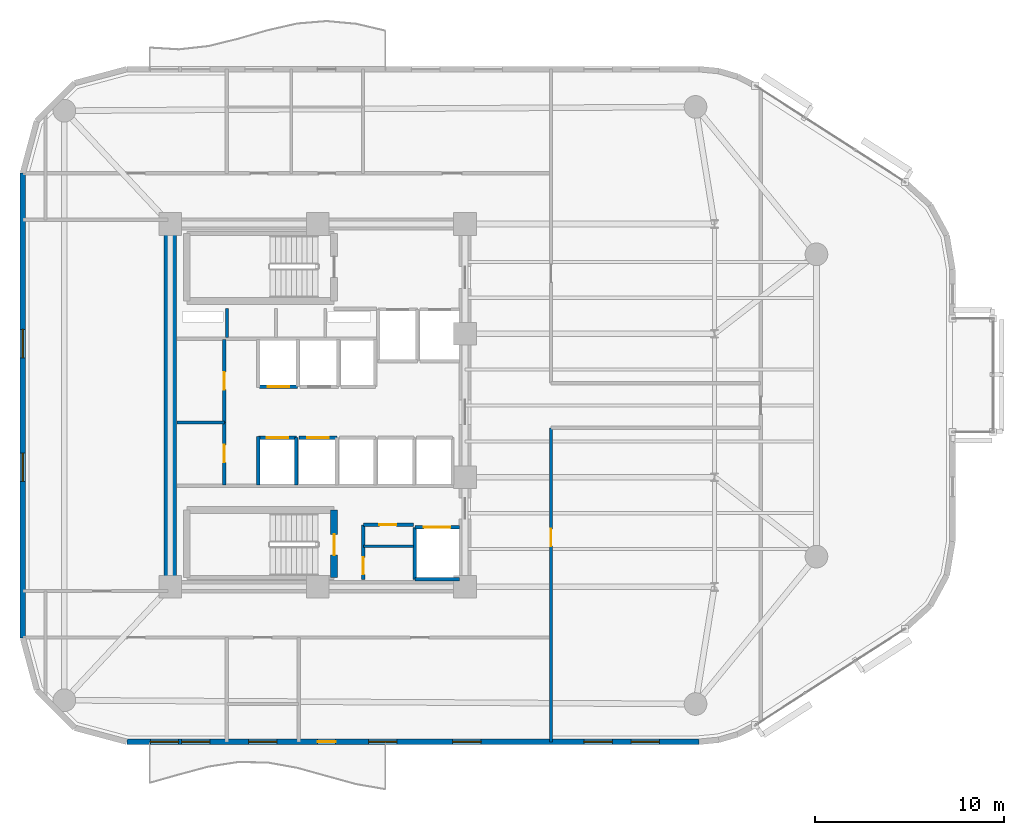
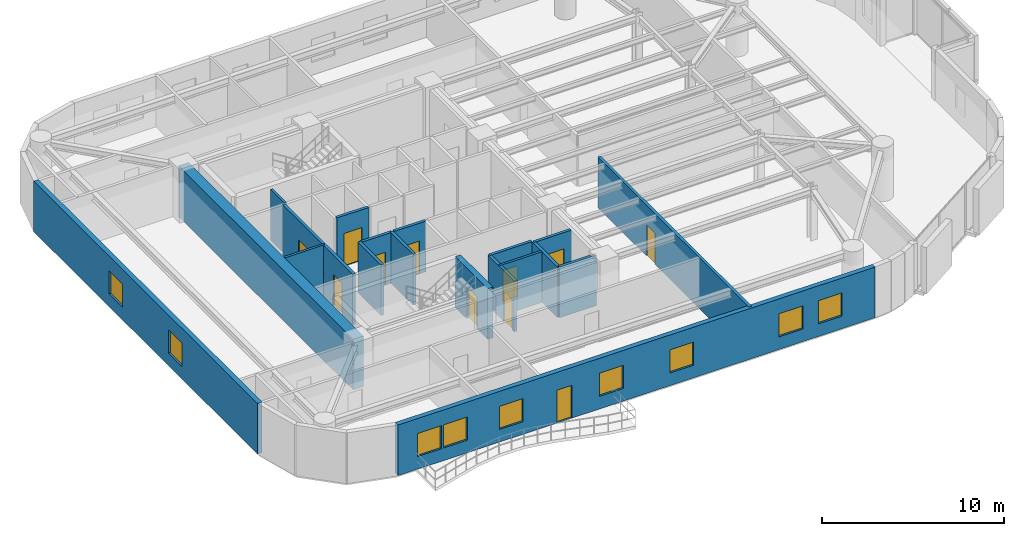
# One storey, part 8 of 12: 20 walls, 11 doors, 9 windows, 20 openings.
"""IFC4 building model written with IfcOpenShell, lengths in metres."""

from ifc_helpers import new_model, si_unit, direction, frame, frame_2d, origin, place, context, subcontext, project, spatial, rectangle, extrude, material, layer, layer_set, type_object, element, fill, save


model = new_model("IFC4")

# Units and contexts
model_context = context("Model", 3, precision=1e-05, world=origin(), true_north=direction((0.0, 1.0)))
body_context = subcontext(model_context, "Body", "Model", "MODEL_VIEW")
ifc_project = project(units=[si_unit("LENGTHUNIT", "METRE"), si_unit("AREAUNIT", "SQUARE_METRE"), si_unit("VOLUMEUNIT", "CUBIC_METRE"), si_unit("PLANEANGLEUNIT", "RADIAN"), si_unit("MASSUNIT", "GRAM", prefix="KILO")], contexts=[model_context])

# Site, building, storey
site_placement = place(None, origin())
site = spatial("IfcSite", under=ifc_project, at=site_placement, CompositionType="ELEMENT")
building_placement = place(site_placement, origin())
building = spatial("IfcBuilding", under=site, at=building_placement, Name="An Khanh Terracotta Commons", CompositionType="ELEMENT")
storey_placement = place(building_placement, frame((0.0, 0.0, 161.800048828125)))
storey = spatial("IfcBuildingStorey", under=building, at=storey_placement, Name="L42", CompositionType="ELEMENT", Elevation=161.800048828125)

# Wall
ifc_material_1 = material(Name="Concrete C60/75", Category="concrete")
ifc_layer_1 = layer(ifc_material_1, 0.64990234375, Name="Concrete C60/75")
ifc_layer_set_1 = layer_set([ifc_layer_1], Name="Concrete C60/75")
wall_type_1 = type_object("IfcWallType", Name="WALL-CORE-650", PredefinedType="SHEAR", material=ifc_layer_set_1)
wall_1_placement = place(storey_placement, frame((21.60009765625, 14.39990234375, 0.0), z_axis=(0.0, 0.0, 1.0), x_axis=(0.0, 1.0, 0.0)))
element("IfcWall", 1, at=wall_1_placement, inside=storey, type_object=wall_type_1, Name="L42 Core Wall CWALL-L42-W", PredefinedType="SHEAR", context=body_context, shape_type="SweptSolid", body=[
    extrude(rectangle(XDim=19.2001953125, YDim=0.64990234375, at=frame_2d((9.60009765625, 0.0))), origin(), (0.0, 0.0, 1.0), 3.39990234375),
])

# Wall, opening, door
ifc_material_2 = material(Name="Fire-Rated Gypsum Board on Steel Stud", Category="steel")
ifc_layer_2 = layer(ifc_material_2, 0.179931640625, Name="Fire-Rated Gypsum Board on Steel Stud")
ifc_layer_set_2 = layer_set([ifc_layer_2], Name="Fire-Rated Gypsum Board on Steel Stud")
wall_type_2 = type_object("IfcWallType", Name="WALL-CORR-180", PredefinedType="PARTITIONING", material=ifc_layer_set_2)
wall_2_placement = place(storey_placement, frame((31.820068359375, 17.679931640625, 0.0), z_axis=(0.0, 0.0, 1.0), x_axis=(1.0, 0.0, 0.0)))
wall_2 = element("IfcWall", 2, at=wall_2_placement, inside=storey, type_object=wall_type_2, Name="L42 Core Wall SSVCW-L42-N", PredefinedType="PARTITIONING", context=body_context, shape_type="SweptSolid", body=[
    extrude(rectangle(XDim=2.659912109375, YDim=0.179931640625, at=frame_2d((1.330078125, 0.0))), origin(), (0.0, 0.0, 1.0), 3.39990234375),
])
opening_1_placement = place(wall_2_placement, frame((0.85009765625, 0.0, 0.0)))
opening_1 = element("IfcOpeningElement", 3, at=opening_1_placement, cuts=wall_2, Name="Opening D-SV", PredefinedType="OPENING", context=body_context, shape_type="SweptSolid", body=[
    extrude(rectangle(XDim=0.89990234375, YDim=2.050048828125, at=frame_2d((0.449951171875, 1.02490234375))), frame((0.0, 0.099853515625, 0.0), z_axis=(0.0, -1.0, 0.0), x_axis=(1.0, 0.0, 0.0)), (0.0, 0.0, 1.0), 0.199951171875),
])
ifc_material_3 = material(Name="Fire-Rated Powder-Coated Steel Door", Category="steel")
door_type_1 = type_object("IfcDoorType", Name="DOOR-SERV-900", OperationType="NOTDEFINED", PredefinedType="DOOR", material=ifc_material_3)
door_1_placement = place(opening_1_placement, origin())
door_1 = element("IfcDoor", 4, at=door_1_placement, inside=storey, type_object=door_type_1, Name="L42 Core Cleaner Store Door", OperationType="SINGLE_SWING_LEFT", OverallHeight=2.050048828125, OverallWidth=0.89990234375, PredefinedType="DOOR", context=body_context, shape_type="SweptSolid", body=[
    extrude(rectangle(XDim=0.89990234375, YDim=2.050048828125, at=frame_2d((0.449951171875, 1.02490234375))), frame((0.0, 0.02490234375, 0.0), z_axis=(0.0, -1.0, 0.0), x_axis=(1.0, 0.0, 0.0)), (0.0, 0.0, 1.0), 0.050048828125),
])
fill(opening_1, door_1)

wall_3_placement = place(storey_placement, frame((31.820068359375, 14.800048828125, 0.0), z_axis=(0.0, 0.0, 1.0), x_axis=(0.0, 1.0, 0.0)))
wall_3 = element("IfcWall", 5, at=wall_3_placement, inside=storey, type_object=wall_type_2, Name="L42 Core Wall SSVCW-L42-W", PredefinedType="PARTITIONING", context=body_context, shape_type="SweptSolid", body=[
    extrude(rectangle(XDim=2.8798828125, YDim=0.179931640625, at=frame_2d((1.43994140625, 0.0))), origin(), (0.0, 0.0, 1.0), 3.39990234375),
])
opening_2_placement = place(wall_3_placement, frame((0.260009765625, 0.0, 0.0)))
opening_2 = element("IfcOpeningElement", 6, at=opening_2_placement, cuts=wall_3, Name="Opening D-SV", PredefinedType="OPENING", context=body_context, shape_type="SweptSolid", body=[
    extrude(rectangle(XDim=0.89990234375, YDim=2.050048828125, at=frame_2d((0.449951171875, 1.02490234375))), frame((0.0, 0.099853515625, 0.0), z_axis=(0.0, -1.0, 0.0), x_axis=(1.0, 0.0, 0.0)), (0.0, 0.0, 1.0), 0.199951171875),
])
door_2_placement = place(opening_2_placement, origin())
door_2 = element("IfcDoor", 7, at=door_2_placement, inside=storey, type_object=door_type_1, Name="L42 Telecoms BMS Cupboard Door", OperationType="SINGLE_SWING_RIGHT", OverallHeight=2.050048828125, OverallWidth=0.89990234375, PredefinedType="DOOR", context=body_context, shape_type="SweptSolid", body=[
    extrude(rectangle(XDim=0.89990234375, YDim=2.050048828125, at=frame_2d((0.449951171875, 1.02490234375))), frame((0.0, 0.02490234375, 0.0), z_axis=(0.0, -1.0, 0.0), x_axis=(1.0, 0.0, 0.0)), (0.0, 0.0, 1.0), 0.050048828125),
])
fill(opening_2, door_2)

wall_4_placement = place(storey_placement, frame((34.550048828125, 17.550048828125, 0.0), z_axis=(0.0, 0.0, 1.0), x_axis=(1.0, 0.0, 0.0)))
wall_4 = element("IfcWall", 8, at=wall_4_placement, inside=storey, type_object=wall_type_2, Name="L42 Core Wall LSH-L42-SVL-01-N", PredefinedType="PARTITIONING", context=body_context, shape_type="SweptSolid", body=[
    extrude(rectangle(XDim=2.349853515625, YDim=0.179931640625, at=frame_2d((1.1748046875, 0.0))), origin(), (0.0, 0.0, 1.0), 3.39990234375),
])
opening_3_placement = place(wall_4_placement, frame((0.47509765625, 0.0, 0.0)))
opening_3 = element("IfcOpeningElement", 9, at=opening_3_placement, cuts=wall_4, Name="Opening LD-SVL-01-L42", PredefinedType="OPENING", context=body_context, shape_type="SweptSolid", body=[
    extrude(rectangle(XDim=1.39990234375, YDim=2.300048828125, at=frame_2d((0.699951171875, 1.14990234375))), frame((0.0, 0.099853515625, 0.0), z_axis=(0.0, -1.0, 0.0), x_axis=(1.0, 0.0, 0.0)), (0.0, 0.0, 1.0), 0.199951171875),
])
ifc_material_4 = material(Name="Heavy-Duty Stainless Steel Goods Landing Door", Category="steel")
door_type_2 = type_object("IfcDoorType", Name="DOOR-LD-SVL-1400", OperationType="NOTDEFINED", PredefinedType="DOOR", material=ifc_material_4)
door_3_placement = place(opening_3_placement, origin())
door_3 = element("IfcDoor", 10, at=door_3_placement, inside=storey, type_object=door_type_2, Name="L42 Lift SVL-01 Sliding Landing Door", OperationType="DOUBLE_DOOR_SLIDING", OverallHeight=2.300048828125, OverallWidth=1.39990234375, PredefinedType="DOOR", context=body_context, shape_type="SweptSolid", body=[
    extrude(rectangle(XDim=1.39990234375, YDim=2.300048828125, at=frame_2d((0.699951171875, 1.14990234375))), frame((0.0, 0.02490234375, 0.0), z_axis=(0.0, -1.0, 0.0), x_axis=(1.0, 0.0, 0.0)), (0.0, 0.0, 1.0), 0.050048828125),
])
fill(opening_3, door_3)

# Walls
wall_5_placement = place(storey_placement, frame((36.89990234375, 14.800048828125, 0.0), z_axis=(0.0, 0.0, 1.0), x_axis=(-1.0, 0.0, 0.0)))
element("IfcWall", 11, at=wall_5_placement, inside=storey, type_object=wall_type_2, Name="L42 Core Wall LSH-L42-SVL-01-S", PredefinedType="PARTITIONING", context=body_context, shape_type="SweptSolid", body=[
    extrude(rectangle(XDim=2.349853515625, YDim=0.179931640625, at=frame_2d((1.1748046875, 0.0))), origin(), (0.0, 0.0, 1.0), 3.39990234375),
])
wall_6_placement = place(storey_placement, frame((34.550048828125, 17.550048828125, 0.0), z_axis=(0.0, 0.0, 1.0), x_axis=(0.0, -1.0, 0.0)))
element("IfcWall", 12, at=wall_6_placement, inside=storey, type_object=wall_type_2, Name="L42 Core Wall LSH-L42-SVL-01-W", PredefinedType="PARTITIONING", context=body_context, shape_type="SweptSolid", body=[
    extrude(rectangle(XDim=2.75, YDim=0.179931640625, at=frame_2d((1.375, 0.0))), origin(), (0.0, 0.0, 1.0), 3.39990234375),
])

# Wall, opening, door
wall_7_placement = place(storey_placement, frame((28.340087890625, 25.0, 0.0), z_axis=(0.0, 0.0, 1.0), x_axis=(-1.0, 0.0, 0.0)))
wall_7 = element("IfcWall", 13, at=wall_7_placement, inside=storey, type_object=wall_type_2, Name="L42 Core Wall LSH-L42-PL-M1-S", PredefinedType="PARTITIONING", context=body_context, shape_type="SweptSolid", body=[
    extrude(rectangle(XDim=2.02001953125, YDim=0.179931640625, at=frame_2d((1.010009765625, 0.0))), origin(), (0.0, 0.0, 1.0), 3.39990234375),
])
opening_4_placement = place(wall_7_placement, frame((0.43505859375, 0.0, 0.0)))
opening_4 = element("IfcOpeningElement", 14, at=opening_4_placement, cuts=wall_7, Name="Opening LD-PL-M1-L42", PredefinedType="OPENING", context=body_context, shape_type="SweptSolid", body=[
    extrude(rectangle(XDim=1.14990234375, YDim=2.199951171875, at=frame_2d((0.574951171875, 1.10009765625))), frame((0.0, 0.099853515625, 0.0), z_axis=(0.0, -1.0, 0.0), x_axis=(1.0, 0.0, 0.0)), (0.0, 0.0, 1.0), 0.199951171875),
])
ifc_material_5 = material(Name="Brushed Stainless Steel Passenger Landing Door", Category="steel")
door_type_3 = type_object("IfcDoorType", Name="DOOR-LD-PAX-1150", OperationType="NOTDEFINED", PredefinedType="DOOR", material=ifc_material_5)
door_4_placement = place(opening_4_placement, origin())
door_4 = element("IfcDoor", 15, at=door_4_placement, inside=storey, type_object=door_type_3, Name="L42 Lift PL-M1 Sliding Landing Door", OperationType="DOUBLE_DOOR_SLIDING", OverallHeight=2.199951171875, OverallWidth=1.14990234375, PredefinedType="DOOR", context=body_context, shape_type="SweptSolid", body=[
    extrude(rectangle(XDim=1.14990234375, YDim=2.199951171875, at=frame_2d((0.574951171875, 1.10009765625))), frame((0.0, 0.02490234375, 0.0), z_axis=(0.0, -1.0, 0.0), x_axis=(1.0, 0.0, 0.0)), (0.0, 0.0, 1.0), 0.050048828125),
])
fill(opening_4, door_4)

wall_8_placement = place(storey_placement, frame((26.280029296875, 22.300048828125, 0.0), z_axis=(0.0, 0.0, 1.0), x_axis=(1.0, 0.0, 0.0)))
wall_8 = element("IfcWall", 16, at=wall_8_placement, inside=storey, type_object=wall_type_2, Name="L42 Core Wall LSH-L42-PL-M3-N", PredefinedType="PARTITIONING", context=body_context, shape_type="SweptSolid", body=[
    extrude(rectangle(XDim=2.0, YDim=0.179931640625, at=frame_2d((1.0, 0.0))), origin(), (0.0, 0.0, 1.0), 3.39990234375),
])
opening_5_placement = place(wall_8_placement, frame((0.425048828125, 0.0, 0.0)))
opening_5 = element("IfcOpeningElement", 17, at=opening_5_placement, cuts=wall_8, Name="Opening LD-PL-M3-L42", PredefinedType="OPENING", context=body_context, shape_type="SweptSolid", body=[
    extrude(rectangle(XDim=1.14990234375, YDim=2.199951171875, at=frame_2d((0.574951171875, 1.10009765625))), frame((0.0, 0.099853515625, 0.0), z_axis=(0.0, -1.0, 0.0), x_axis=(1.0, 0.0, 0.0)), (0.0, 0.0, 1.0), 0.199951171875),
])
door_5_placement = place(opening_5_placement, origin())
door_5 = element("IfcDoor", 18, at=door_5_placement, inside=storey, type_object=door_type_3, Name="L42 Lift PL-M3 Sliding Landing Door", OperationType="DOUBLE_DOOR_SLIDING", OverallHeight=2.199951171875, OverallWidth=1.14990234375, PredefinedType="DOOR", context=body_context, shape_type="SweptSolid", body=[
    extrude(rectangle(XDim=1.14990234375, YDim=2.199951171875, at=frame_2d((0.574951171875, 1.10009765625))), frame((0.0, 0.02490234375, 0.0), z_axis=(0.0, -1.0, 0.0), x_axis=(1.0, 0.0, 0.0)), (0.0, 0.0, 1.0), 0.050048828125),
])
fill(opening_5, door_5)

# Wall
wall_9_placement = place(storey_placement, frame((28.280029296875, 19.800048828125, 0.0), z_axis=(0.0, 0.0, 1.0), x_axis=(0.0, 1.0, 0.0)))
element("IfcWall", 19, at=wall_9_placement, inside=storey, type_object=wall_type_2, Name="L42 Core Wall LSH-L42-PL-M3-E", PredefinedType="PARTITIONING", context=body_context, shape_type="SweptSolid", body=[
    extrude(rectangle(XDim=2.5, YDim=0.179931640625, at=frame_2d((1.25, 0.0))), origin(), (0.0, 0.0, 1.0), 3.39990234375),
])

# Wall, opening, door
wall_10_placement = place(storey_placement, frame((28.419921875, 22.300048828125, 0.0), z_axis=(0.0, 0.0, 1.0), x_axis=(1.0, 0.0, 0.0)))
wall_10 = element("IfcWall", 20, at=wall_10_placement, inside=storey, type_object=wall_type_2, Name="L42 Core Wall LSH-L42-PL-M4-N", PredefinedType="PARTITIONING", context=body_context, shape_type="SweptSolid", body=[
    extrude(rectangle(XDim=2.0, YDim=0.179931640625, at=frame_2d((1.0, 0.0))), origin(), (0.0, 0.0, 1.0), 3.39990234375),
])
opening_6_placement = place(wall_10_placement, frame((0.425048828125, 0.0, 0.0)))
opening_6 = element("IfcOpeningElement", 21, at=opening_6_placement, cuts=wall_10, Name="Opening LD-PL-M4-L42", PredefinedType="OPENING", context=body_context, shape_type="SweptSolid", body=[
    extrude(rectangle(XDim=1.14990234375, YDim=2.199951171875, at=frame_2d((0.574951171875, 1.10009765625))), frame((0.0, 0.099853515625, 0.0), z_axis=(0.0, -1.0, 0.0), x_axis=(1.0, 0.0, 0.0)), (0.0, 0.0, 1.0), 0.199951171875),
])
door_6_placement = place(opening_6_placement, origin())
door_6 = element("IfcDoor", 22, at=door_6_placement, inside=storey, type_object=door_type_3, Name="L42 Lift PL-M4 Sliding Landing Door", OperationType="DOUBLE_DOOR_SLIDING", OverallHeight=2.199951171875, OverallWidth=1.14990234375, PredefinedType="DOOR", context=body_context, shape_type="SweptSolid", body=[
    extrude(rectangle(XDim=1.14990234375, YDim=2.199951171875, at=frame_2d((0.574951171875, 1.10009765625))), frame((0.0, 0.02490234375, 0.0), z_axis=(0.0, -1.0, 0.0), x_axis=(1.0, 0.0, 0.0)), (0.0, 0.0, 1.0), 0.050048828125),
])
fill(opening_6, door_6)

wall_11_placement = place(storey_placement, frame((24.4599609375, 23.10009765625, 0.0), z_axis=(0.0, 0.0, 1.0), x_axis=(0.0, 1.0, 0.0)))
wall_11 = element("IfcWall", 23, at=wall_11_placement, inside=storey, type_object=wall_type_2, Name="L42 Core Wall RECW-L42-E1", PredefinedType="PARTITIONING", context=body_context, shape_type="SweptSolid", body=[
    extrude(rectangle(XDim=4.39990234375, YDim=0.179931640625, at=frame_2d((2.199951171875, 0.0))), origin(), (0.0, 0.0, 1.0), 3.39990234375),
])
opening_7_placement = place(wall_11_placement, frame((1.739990234375, 0.0, 0.0)))
opening_7 = element("IfcOpeningElement", 24, at=opening_7_placement, cuts=wall_11, Name="Opening D-RM", PredefinedType="OPENING", context=body_context, shape_type="SweptSolid", body=[
    extrude(rectangle(XDim=0.919921875, YDim=2.10009765625, at=frame_2d((0.4599609375, 1.050048828125))), frame((0.0, 0.099853515625, 0.0), z_axis=(0.0, -1.0, 0.0), x_axis=(1.0, 0.0, 0.0)), (0.0, 0.0, 1.0), 0.199951171875),
])
ifc_material_6 = material(Name="Engineered Hardwood Timber Leaf", Category="wood")
door_type_4 = type_object("IfcDoorType", Name="DOOR-INT-920", OperationType="NOTDEFINED", PredefinedType="DOOR", material=ifc_material_6)
door_7_placement = place(opening_7_placement, origin())
door_7 = element("IfcDoor", 25, at=door_7_placement, inside=storey, type_object=door_type_4, Name="L42 Housekeeping Linen Room Door", OperationType="SINGLE_SWING_LEFT", OverallHeight=2.10009765625, OverallWidth=0.919921875, PredefinedType="DOOR", context=body_context, shape_type="SweptSolid", body=[
    extrude(rectangle(XDim=0.919921875, YDim=2.10009765625, at=frame_2d((0.4599609375, 1.050048828125))), frame((0.0, 0.02490234375, 0.0), z_axis=(0.0, -1.0, 0.0), x_axis=(1.0, 0.0, 0.0)), (0.0, 0.0, 1.0), 0.050048828125),
])
fill(opening_7, door_7)

wall_12_placement = place(storey_placement, frame((24.4599609375, 19.800048828125, 0.0), z_axis=(0.0, 0.0, 1.0), x_axis=(0.0, 1.0, 0.0)))
wall_12 = element("IfcWall", 26, at=wall_12_placement, inside=storey, type_object=wall_type_2, Name="L42 Core Wall RECW-L42-E2", PredefinedType="PARTITIONING", context=body_context, shape_type="SweptSolid", body=[
    extrude(rectangle(XDim=3.300048828125, YDim=0.179931640625, at=frame_2d((1.64990234375, 0.0))), origin(), (0.0, 0.0, 1.0), 3.39990234375),
])
opening_8_placement = place(wall_12_placement, frame((1.18994140625, 0.0, 0.0)))
opening_8 = element("IfcOpeningElement", 27, at=opening_8_placement, cuts=wall_12, Name="Opening D-RM", PredefinedType="OPENING", context=body_context, shape_type="SweptSolid", body=[
    extrude(rectangle(XDim=0.919921875, YDim=2.10009765625, at=frame_2d((0.4599609375, 1.050048828125))), frame((0.0, 0.099853515625, 0.0), z_axis=(0.0, -1.0, 0.0), x_axis=(1.0, 0.0, 0.0)), (0.0, 0.0, 1.0), 0.199951171875),
])
door_8_placement = place(opening_8_placement, origin())
door_8 = element("IfcDoor", 28, at=door_8_placement, inside=storey, type_object=door_type_4, Name="L42 Quiet Focus Booth Door", OperationType="SINGLE_SWING_RIGHT", OverallHeight=2.10009765625, OverallWidth=0.919921875, PredefinedType="DOOR", context=body_context, shape_type="SweptSolid", body=[
    extrude(rectangle(XDim=0.919921875, YDim=2.10009765625, at=frame_2d((0.4599609375, 1.050048828125))), frame((0.0, 0.02490234375, 0.0), z_axis=(0.0, -1.0, 0.0), x_axis=(1.0, 0.0, 0.0)), (0.0, 0.0, 1.0), 0.050048828125),
])
fill(opening_8, door_8)

# Wall
wall_13_placement = place(storey_placement, frame((26.25, 19.800048828125, 0.0), z_axis=(0.0, 0.0, 1.0), x_axis=(0.0, 1.0, 0.0)))
element("IfcWall", 29, at=wall_13_placement, inside=storey, type_object=wall_type_2, Name="L42 Core Wall RECW-L42-BE2", PredefinedType="PARTITIONING", context=body_context, shape_type="SweptSolid", body=[
    extrude(rectangle(XDim=2.550048828125, YDim=0.179931640625, at=frame_2d((1.27490234375, 0.0))), origin(), (0.0, 0.0, 1.0), 3.39990234375),
])

# Wall, opening, door
wall_14_placement = place(storey_placement, frame((41.75, 6.199951171875, 0.0), z_axis=(0.0, 0.0, 1.0), x_axis=(0.0, 1.0, 0.0)))
wall_14 = element("IfcWall", 30, at=wall_14_placement, inside=storey, type_object=wall_type_2, Name="L42 Interior Partition IW-L42-E016", PredefinedType="PARTITIONING", context=body_context, shape_type="SweptSolid", body=[
    extrude(rectangle(XDim=16.6201171875, YDim=0.179931640625, at=frame_2d((8.31005859375, 0.0))), origin(), (0.0, 0.0, 1.0), 3.39990234375),
])
opening_9_placement = place(wall_14_placement, frame((10.35009765625, 0.0, 0.0)))
opening_9 = element("IfcOpeningElement", 31, at=opening_9_placement, cuts=wall_14, Name="Opening D-RM", PredefinedType="OPENING", context=body_context, shape_type="SweptSolid", body=[
    extrude(rectangle(XDim=0.919921875, YDim=2.10009765625, at=frame_2d((0.4599609375, 1.050048828125))), frame((0.0, 0.099853515625, 0.0), z_axis=(0.0, -1.0, 0.0), x_axis=(1.0, 0.0, 0.0)), (0.0, 0.0, 1.0), 0.199951171875),
])
door_9_placement = place(opening_9_placement, origin())
door_9 = element("IfcDoor", 32, at=door_9_placement, inside=storey, type_object=door_type_4, Name="L42 SPN2 Riverfront Reading Hall Door", OperationType="SINGLE_SWING_LEFT", OverallHeight=2.10009765625, OverallWidth=0.919921875, PredefinedType="DOOR", context=body_context, shape_type="SweptSolid", body=[
    extrude(rectangle(XDim=0.919921875, YDim=2.10009765625, at=frame_2d((0.4599609375, 1.050048828125))), frame((0.0, 0.02490234375, 0.0), z_axis=(0.0, -1.0, 0.0), x_axis=(1.0, 0.0, 0.0)), (0.0, 0.0, 1.0), 0.050048828125),
])
fill(opening_9, door_9)

# Wall, openings, door, windows
ifc_material_7 = material(Name="Precast concrete C40/50", Category="concrete")
ifc_layer_3 = layer(ifc_material_7, 0.300048828125, Name="Precast concrete C40/50")
ifc_layer_set_3 = layer_set([ifc_layer_3], Name="Precast concrete C40/50")
wall_type_3 = type_object("IfcWallType", Name="WALL-EXT-300", PredefinedType="SOLIDWALL", material=ifc_layer_set_3)
wall_15_placement = place(storey_placement, frame((19.300048828125, 6.199951171875, 0.0), z_axis=(0.0, 0.0, 1.0), x_axis=(1.0, 0.0, 0.0)))
wall_15 = element("IfcWall", 33, at=wall_15_placement, inside=storey, type_object=wall_type_3, Name="L42 Insulated Terracotta Exterior Wall 4", PredefinedType="SOLIDWALL", context=body_context, shape_type="SweptSolid", body=[
    extrude(rectangle(XDim=30.281982421875, YDim=0.300048828125, at=frame_2d((15.14111328125, 0.0))), origin(), (0.0, 0.0, 1.0), 3.39990234375),
])
opening_10_placement = place(wall_15_placement, frame((10.10009765625, 0.0, 0.0)))
opening_10 = element("IfcOpeningElement", 34, at=opening_10_placement, cuts=wall_15, Name="Opening D-BAL", PredefinedType="OPENING", context=body_context, shape_type="SweptSolid", body=[
    extrude(rectangle(XDim=0.949951171875, YDim=2.199951171875, at=frame_2d((0.47509765625, 1.10009765625))), frame((0.0, 0.159912109375, 0.0), z_axis=(0.0, -1.0, 0.0), x_axis=(1.0, 0.0, 0.0)), (0.0, 0.0, 1.0), 0.320068359375),
])
opening_11_placement = place(wall_15_placement, frame((1.25, 0.0, 0.85009765625)))
opening_11 = element("IfcOpeningElement", 35, at=opening_11_placement, cuts=wall_15, Name="Opening W-03", PredefinedType="OPENING", context=body_context, shape_type="SweptSolid", body=[
    extrude(rectangle(XDim=1.5, YDim=1.550048828125, at=frame_2d((0.75, 0.77490234375))), frame((0.0, 0.159912109375, 0.0), z_axis=(0.0, -1.0, 0.0), x_axis=(1.0, 0.0, 0.0)), (0.0, 0.0, 1.0), 0.320068359375),
])
opening_12_placement = place(wall_15_placement, frame((2.89990234375, 0.0, 0.85009765625)))
opening_12 = element("IfcOpeningElement", 36, at=opening_12_placement, cuts=wall_15, Name="Opening W-03", PredefinedType="OPENING", context=body_context, shape_type="SweptSolid", body=[
    extrude(rectangle(XDim=1.5, YDim=1.550048828125, at=frame_2d((0.75, 0.77490234375))), frame((0.0, 0.159912109375, 0.0), z_axis=(0.0, -1.0, 0.0), x_axis=(1.0, 0.0, 0.0)), (0.0, 0.0, 1.0), 0.320068359375),
])
opening_13_placement = place(wall_15_placement, frame((6.449951171875, 0.0, 0.85009765625)))
opening_13 = element("IfcOpeningElement", 37, at=opening_13_placement, cuts=wall_15, Name="Opening W-03", PredefinedType="OPENING", context=body_context, shape_type="SweptSolid", body=[
    extrude(rectangle(XDim=1.5, YDim=1.550048828125, at=frame_2d((0.75, 0.77490234375))), frame((0.0, 0.159912109375, 0.0), z_axis=(0.0, -1.0, 0.0), x_axis=(1.0, 0.0, 0.0)), (0.0, 0.0, 1.0), 0.320068359375),
])
opening_14_placement = place(wall_15_placement, frame((12.800048828125, 0.0, 0.85009765625)))
opening_14 = element("IfcOpeningElement", 38, at=opening_14_placement, cuts=wall_15, Name="Opening W-03", PredefinedType="OPENING", context=body_context, shape_type="SweptSolid", body=[
    extrude(rectangle(XDim=1.5, YDim=1.550048828125, at=frame_2d((0.75, 0.77490234375))), frame((0.0, 0.159912109375, 0.0), z_axis=(0.0, -1.0, 0.0), x_axis=(1.0, 0.0, 0.0)), (0.0, 0.0, 1.0), 0.320068359375),
])
opening_15_placement = place(wall_15_placement, frame((17.25, 0.0, 0.85009765625)))
opening_15 = element("IfcOpeningElement", 39, at=opening_15_placement, cuts=wall_15, Name="Opening W-03", PredefinedType="OPENING", context=body_context, shape_type="SweptSolid", body=[
    extrude(rectangle(XDim=1.5, YDim=1.550048828125, at=frame_2d((0.75, 0.77490234375))), frame((0.0, 0.159912109375, 0.0), z_axis=(0.0, -1.0, 0.0), x_axis=(1.0, 0.0, 0.0)), (0.0, 0.0, 1.0), 0.320068359375),
])
opening_16_placement = place(wall_15_placement, frame((24.194091796875, 0.0, 0.85009765625)))
opening_16 = element("IfcOpeningElement", 40, at=opening_16_placement, cuts=wall_15, Name="Opening W-03", PredefinedType="OPENING", context=body_context, shape_type="SweptSolid", body=[
    extrude(rectangle(XDim=1.5, YDim=1.550048828125, at=frame_2d((0.75, 0.77490234375))), frame((0.0, 0.159912109375, 0.0), z_axis=(0.0, -1.0, 0.0), x_axis=(1.0, 0.0, 0.0)), (0.0, 0.0, 1.0), 0.320068359375),
])
opening_17_placement = place(wall_15_placement, frame((26.68798828125, 0.0, 0.85009765625)))
opening_17 = element("IfcOpeningElement", 41, at=opening_17_placement, cuts=wall_15, Name="Opening W-03", PredefinedType="OPENING", context=body_context, shape_type="SweptSolid", body=[
    extrude(rectangle(XDim=1.5, YDim=1.550048828125, at=frame_2d((0.75, 0.77490234375))), frame((0.0, 0.159912109375, 0.0), z_axis=(0.0, -1.0, 0.0), x_axis=(1.0, 0.0, 0.0)), (0.0, 0.0, 1.0), 0.320068359375),
])
ifc_material_8 = material(Name="Thermally Broken Aluminium and Low-E Glass", Category="aluminium")
door_type_5 = type_object("IfcDoorType", Name="DOOR-BALC-950", OperationType="NOTDEFINED", PredefinedType="DOOR", material=ifc_material_8)
door_10_placement = place(opening_10_placement, origin())
door_10 = element("IfcDoor", 42, at=door_10_placement, inside=storey, type_object=door_type_5, Name="L42 S Wave Balcony Glazed Door", OperationType="SINGLE_SWING_LEFT", OverallHeight=2.199951171875, OverallWidth=0.949951171875, PredefinedType="DOOR", context=body_context, shape_type="SweptSolid", body=[
    extrude(rectangle(XDim=0.949951171875, YDim=2.199951171875, at=frame_2d((0.47509765625, 1.10009765625))), frame((0.0, 0.02490234375, 0.0), z_axis=(0.0, -1.0, 0.0), x_axis=(1.0, 0.0, 0.0)), (0.0, 0.0, 1.0), 0.050048828125),
])
fill(opening_10, door_10)
window_type = type_object("IfcWindowType", Name="WIN-Z3-1500x1550", PartitioningType="DOUBLE_PANEL_VERTICAL", PredefinedType="WINDOW", material=ifc_material_8)
window_1_placement = place(opening_11_placement, origin())
window_1 = element("IfcWindow", 43, at=window_1_placement, inside=storey, type_object=window_type, Name="L42 Operable Casement Window 4.1", OverallHeight=1.550048828125, OverallWidth=1.5, PartitioningType="DOUBLE_PANEL_VERTICAL", PredefinedType="WINDOW", context=body_context, shape_type="SweptSolid", body=[
    extrude(rectangle(XDim=1.5, YDim=1.550048828125, at=frame_2d((0.75, 0.77490234375))), frame((0.0, 0.030029296875, 0.0), z_axis=(0.0, -1.0, 0.0), x_axis=(1.0, 0.0, 0.0)), (0.0, 0.0, 1.0), 0.06005859375),
])
fill(opening_11, window_1)
window_2_placement = place(opening_12_placement, origin())
window_2 = element("IfcWindow", 44, at=window_2_placement, inside=storey, type_object=window_type, Name="L42 Operable Casement Window 4.2", OverallHeight=1.550048828125, OverallWidth=1.5, PartitioningType="DOUBLE_PANEL_VERTICAL", PredefinedType="WINDOW", context=body_context, shape_type="SweptSolid", body=[
    extrude(rectangle(XDim=1.5, YDim=1.550048828125, at=frame_2d((0.75, 0.77490234375))), frame((0.0, 0.030029296875, 0.0), z_axis=(0.0, -1.0, 0.0), x_axis=(1.0, 0.0, 0.0)), (0.0, 0.0, 1.0), 0.06005859375),
])
fill(opening_12, window_2)
window_3_placement = place(opening_13_placement, origin())
window_3 = element("IfcWindow", 45, at=window_3_placement, inside=storey, type_object=window_type, Name="L42 Operable Casement Window 4.3", OverallHeight=1.550048828125, OverallWidth=1.5, PartitioningType="DOUBLE_PANEL_VERTICAL", PredefinedType="WINDOW", context=body_context, shape_type="SweptSolid", body=[
    extrude(rectangle(XDim=1.5, YDim=1.550048828125, at=frame_2d((0.75, 0.77490234375))), frame((0.0, 0.030029296875, 0.0), z_axis=(0.0, -1.0, 0.0), x_axis=(1.0, 0.0, 0.0)), (0.0, 0.0, 1.0), 0.06005859375),
])
fill(opening_13, window_3)
window_4_placement = place(opening_14_placement, origin())
window_4 = element("IfcWindow", 46, at=window_4_placement, inside=storey, type_object=window_type, Name="L42 Operable Casement Window 4.4", OverallHeight=1.550048828125, OverallWidth=1.5, PartitioningType="DOUBLE_PANEL_VERTICAL", PredefinedType="WINDOW", context=body_context, shape_type="SweptSolid", body=[
    extrude(rectangle(XDim=1.5, YDim=1.550048828125, at=frame_2d((0.75, 0.77490234375))), frame((0.0, 0.030029296875, 0.0), z_axis=(0.0, -1.0, 0.0), x_axis=(1.0, 0.0, 0.0)), (0.0, 0.0, 1.0), 0.06005859375),
])
fill(opening_14, window_4)
window_5_placement = place(opening_15_placement, origin())
window_5 = element("IfcWindow", 47, at=window_5_placement, inside=storey, type_object=window_type, Name="L42 Operable Casement Window 4.5", OverallHeight=1.550048828125, OverallWidth=1.5, PartitioningType="DOUBLE_PANEL_VERTICAL", PredefinedType="WINDOW", context=body_context, shape_type="SweptSolid", body=[
    extrude(rectangle(XDim=1.5, YDim=1.550048828125, at=frame_2d((0.75, 0.77490234375))), frame((0.0, 0.030029296875, 0.0), z_axis=(0.0, -1.0, 0.0), x_axis=(1.0, 0.0, 0.0)), (0.0, 0.0, 1.0), 0.06005859375),
])
fill(opening_15, window_5)
window_6_placement = place(opening_16_placement, origin())
window_6 = element("IfcWindow", 48, at=window_6_placement, inside=storey, type_object=window_type, Name="L42 Operable Casement Window 4.6", OverallHeight=1.550048828125, OverallWidth=1.5, PartitioningType="DOUBLE_PANEL_VERTICAL", PredefinedType="WINDOW", context=body_context, shape_type="SweptSolid", body=[
    extrude(rectangle(XDim=1.5, YDim=1.550048828125, at=frame_2d((0.75, 0.77490234375))), frame((0.0, 0.030029296875, 0.0), z_axis=(0.0, -1.0, 0.0), x_axis=(1.0, 0.0, 0.0)), (0.0, 0.0, 1.0), 0.06005859375),
])
fill(opening_16, window_6)
window_7_placement = place(opening_17_placement, origin())
window_7 = element("IfcWindow", 49, at=window_7_placement, inside=storey, type_object=window_type, Name="L42 Operable Casement Window 4.7", OverallHeight=1.550048828125, OverallWidth=1.5, PartitioningType="DOUBLE_PANEL_VERTICAL", PredefinedType="WINDOW", context=body_context, shape_type="SweptSolid", body=[
    extrude(rectangle(XDim=1.5, YDim=1.550048828125, at=frame_2d((0.75, 0.77490234375))), frame((0.0, 0.030029296875, 0.0), z_axis=(0.0, -1.0, 0.0), x_axis=(1.0, 0.0, 0.0)), (0.0, 0.0, 1.0), 0.06005859375),
])
fill(opening_17, window_7)

# Wall, openings, windows
wall_16_placement = place(storey_placement, frame((13.800048828125, 36.300048828125, 0.0), z_axis=(0.0, 0.0, 1.0), x_axis=(0.0, -1.0, 0.0)))
wall_16 = element("IfcWall", 50, at=wall_16_placement, inside=storey, type_object=wall_type_3, Name="L42 Insulated Terracotta Exterior Wall 24", PredefinedType="SOLIDWALL", context=body_context, shape_type="SweptSolid", body=[
    extrude(rectangle(XDim=24.60009765625, YDim=0.300048828125, at=frame_2d((12.300048828125, 0.0))), origin(), (0.0, 0.0, 1.0), 3.39990234375),
])
opening_18_placement = place(wall_16_placement, frame((8.277099609375, 0.0, 0.85009765625)))
opening_18 = element("IfcOpeningElement", 51, at=opening_18_placement, cuts=wall_16, Name="Opening W-03", PredefinedType="OPENING", context=body_context, shape_type="SweptSolid", body=[
    extrude(rectangle(XDim=1.5, YDim=1.550048828125, at=frame_2d((0.75, 0.77490234375))), frame((0.0, 0.159912109375, 0.0), z_axis=(0.0, -1.0, 0.0), x_axis=(1.0, 0.0, 0.0)), (0.0, 0.0, 1.0), 0.320068359375),
])
opening_19_placement = place(wall_16_placement, frame((14.822998046875, 0.0, 0.85009765625)))
opening_19 = element("IfcOpeningElement", 52, at=opening_19_placement, cuts=wall_16, Name="Opening W-03", PredefinedType="OPENING", context=body_context, shape_type="SweptSolid", body=[
    extrude(rectangle(XDim=1.5, YDim=1.550048828125, at=frame_2d((0.75, 0.77490234375))), frame((0.0, 0.159912109375, 0.0), z_axis=(0.0, -1.0, 0.0), x_axis=(1.0, 0.0, 0.0)), (0.0, 0.0, 1.0), 0.320068359375),
])
window_8_placement = place(opening_18_placement, origin())
window_8 = element("IfcWindow", 53, at=window_8_placement, inside=storey, type_object=window_type, Name="L42 Operable Casement Window 24.1", OverallHeight=1.550048828125, OverallWidth=1.5, PartitioningType="DOUBLE_PANEL_VERTICAL", PredefinedType="WINDOW", context=body_context, shape_type="SweptSolid", body=[
    extrude(rectangle(XDim=1.5, YDim=1.550048828125, at=frame_2d((0.75, 0.77490234375))), frame((0.0, 0.030029296875, 0.0), z_axis=(0.0, -1.0, 0.0), x_axis=(1.0, 0.0, 0.0)), (0.0, 0.0, 1.0), 0.06005859375),
])
fill(opening_18, window_8)
window_9_placement = place(opening_19_placement, origin())
window_9 = element("IfcWindow", 54, at=window_9_placement, inside=storey, type_object=window_type, Name="L42 Operable Casement Window 24.2", OverallHeight=1.550048828125, OverallWidth=1.5, PartitioningType="DOUBLE_PANEL_VERTICAL", PredefinedType="WINDOW", context=body_context, shape_type="SweptSolid", body=[
    extrude(rectangle(XDim=1.5, YDim=1.550048828125, at=frame_2d((0.75, 0.77490234375))), frame((0.0, 0.030029296875, 0.0), z_axis=(0.0, -1.0, 0.0), x_axis=(1.0, 0.0, 0.0)), (0.0, 0.0, 1.0), 0.06005859375),
])
fill(opening_19, window_9)

# Walls
ifc_material_9 = material(Name="Acoustic Gypsum Board Partition")
ifc_layer_4 = layer(ifc_material_9, 0.14990234375, Name="Acoustic Gypsum Board Partition")
ifc_layer_set_4 = layer_set([ifc_layer_4], Name="Acoustic Gypsum Board Partition")
wall_type_4 = type_object("IfcWallType", Name="WALL-PART-150", PredefinedType="PARTITIONING", material=ifc_layer_set_4)
wall_17_placement = place(storey_placement, frame((24.60009765625, 27.60009765625, 0.0), z_axis=(0.0, 0.0, 1.0), x_axis=(0.0, 1.0, 0.0)))
element("IfcWall", 55, at=wall_17_placement, inside=storey, type_object=wall_type_4, Name="L42 Core Wall RSRW-L42-D1", PredefinedType="PARTITIONING", context=body_context, shape_type="SweptSolid", body=[
    extrude(rectangle(XDim=1.52001953125, YDim=0.14990234375, at=frame_2d((0.760009765625, 0.0))), origin(), (0.0, 0.0, 1.0), 3.39990234375),
])
wall_18_placement = place(storey_placement, frame((31.820068359375, 16.550048828125, 0.0), z_axis=(0.0, 0.0, 1.0), x_axis=(1.0, 0.0, 0.0)))
element("IfcWall", 56, at=wall_18_placement, inside=storey, type_object=wall_type_4, Name="L42 Core Wall SSVCW-L42-M", PredefinedType="PARTITIONING", context=body_context, shape_type="SweptSolid", body=[
    extrude(rectangle(XDim=2.659912109375, YDim=0.14990234375, at=frame_2d((1.330078125, 0.0))), origin(), (0.0, 0.0, 1.0), 3.39990234375),
])
wall_19_placement = place(storey_placement, frame((21.949951171875, 23.10009765625, 0.0), z_axis=(0.0, 0.0, 1.0), x_axis=(1.0, 0.0, 0.0)))
element("IfcWall", 57, at=wall_19_placement, inside=storey, type_object=wall_type_4, Name="L42 Core Wall RECW-L42-M", PredefinedType="PARTITIONING", context=body_context, shape_type="SweptSolid", body=[
    extrude(rectangle(XDim=2.510009765625, YDim=0.14990234375, at=frame_2d((1.2548828125, 0.0))), origin(), (0.0, 0.0, 1.0), 3.39990234375),
])

# Wall, opening, door
ifc_material_10 = material(Name="Concrete C50/60", Category="concrete")
ifc_layer_5 = layer(ifc_material_10, 0.35009765625, Name="Concrete C50/60")
ifc_layer_set_5 = layer_set([ifc_layer_5], Name="Concrete C50/60")
wall_type_5 = type_object("IfcWallType", Name="WALL-SHAFT-350", PredefinedType="SOLIDWALL", material=ifc_layer_set_5)
wall_20_placement = place(storey_placement, frame((30.27001953125, 14.889892578125, 0.0), z_axis=(0.0, 0.0, 1.0), x_axis=(0.0, 1.0, 0.0)))
wall_20 = element("IfcWall", 58, at=wall_20_placement, inside=storey, type_object=wall_type_5, Name="L42 Core Wall STW-L42-S-E", PredefinedType="SOLIDWALL", context=body_context, shape_type="SweptSolid", body=[
    extrude(rectangle(XDim=3.580078125, YDim=0.35009765625, at=frame_2d((1.7900390625, 0.0))), origin(), (0.0, 0.0, 1.0), 3.39990234375),
])
opening_20_placement = place(wall_20_placement, frame((1.18994140625, 0.0, 0.0)))
opening_20 = element("IfcOpeningElement", 59, at=opening_20_placement, cuts=wall_20, Name="Opening D-ST", PredefinedType="OPENING", context=body_context, shape_type="SweptSolid", body=[
    extrude(rectangle(XDim=1.10009765625, YDim=2.14990234375, at=frame_2d((0.550048828125, 1.074951171875))), frame((0.0, 0.18505859375, 0.0), z_axis=(0.0, -1.0, 0.0), x_axis=(1.0, 0.0, 0.0)), (0.0, 0.0, 1.0), 0.3701171875),
])
ifc_material_11 = material(Name="Fire-Rated Steel Leaf and Frame", Category="steel")
door_type_6 = type_object("IfcDoorType", Name="DOOR-STAIR-1100", OperationType="NOTDEFINED", PredefinedType="DOOR", material=ifc_material_11)
door_11_placement = place(opening_20_placement, origin())
door_11 = element("IfcDoor", 60, at=door_11_placement, inside=storey, type_object=door_type_6, Name="L42 Stair ST-02 Fire Door", OperationType="SINGLE_SWING_RIGHT", OverallHeight=2.14990234375, OverallWidth=1.10009765625, PredefinedType="DOOR", context=body_context, shape_type="SweptSolid", body=[
    extrude(rectangle(XDim=1.10009765625, YDim=2.14990234375, at=frame_2d((0.550048828125, 1.074951171875))), frame((0.0, 0.02490234375, 0.0), z_axis=(0.0, -1.0, 0.0), x_axis=(1.0, 0.0, 0.0)), (0.0, 0.0, 1.0), 0.050048828125),
])
fill(opening_20, door_11)

save(model, "model.ifc")
